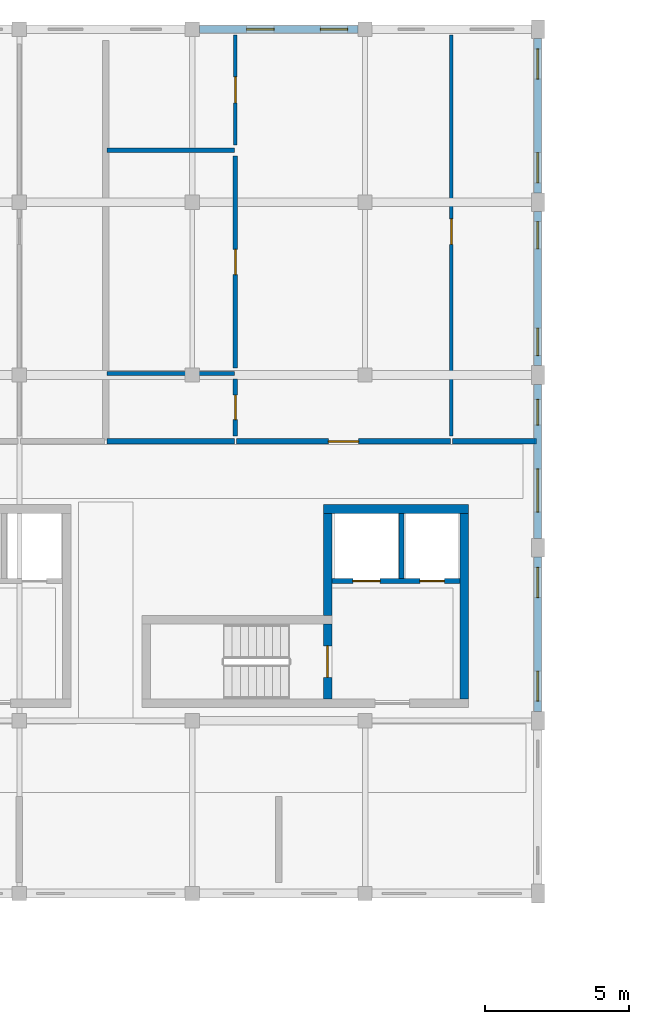
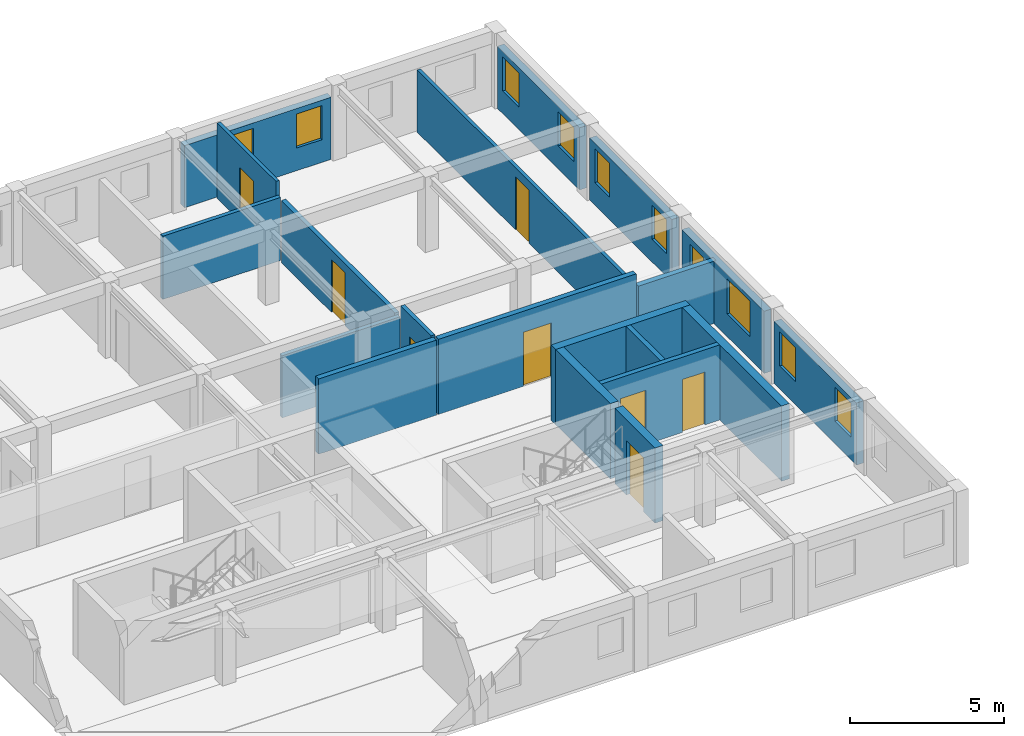
# One storey, part 11 of 17: 20 walls, 10 windows, 8 doors, 18 openings.
"""IFC4 building model written with IfcOpenShell, lengths in metres."""

from ifc_helpers import new_model, si_unit, direction, frame, frame_2d, origin, place, context, subcontext, project, spatial, rectangle, extrude, material, layer, layer_set, type_object, element, fill, save


model = new_model("IFC4")

# Units and contexts
model_context = context("Model", 3, precision=1e-05, world=origin(), true_north=direction((0.0, 1.0)))
body_context = subcontext(model_context, "Body", "Model", "MODEL_VIEW")
ifc_project = project(units=[si_unit("LENGTHUNIT", "METRE"), si_unit("AREAUNIT", "SQUARE_METRE"), si_unit("VOLUMEUNIT", "CUBIC_METRE"), si_unit("PLANEANGLEUNIT", "RADIAN"), si_unit("MASSUNIT", "GRAM", prefix="KILO"), si_unit("POWERUNIT", "WATT"), si_unit("THERMODYNAMICTEMPERATUREUNIT", "KELVIN")], contexts=[model_context])

# Site, building, storey
site_placement = place(None, origin())
site = spatial("IfcSite", under=ifc_project, at=site_placement, CompositionType="ELEMENT")
building_placement = place(site_placement, origin())
building = spatial("IfcBuilding", under=site, at=building_placement, Name="Ruvembo Vaulted Housing Court", CompositionType="ELEMENT")
storey_placement = place(building_placement, frame((0.0, 0.0, 30.10009765625)))
storey = spatial("IfcBuildingStorey", under=building, at=storey_placement, Name="L09", CompositionType="ELEMENT", Elevation=30.10009765625)

# Wall, opening, door
ifc_material_1 = material(Name="Concrete C35/45", Category="concrete")
ifc_layer_1 = layer(ifc_material_1, 0.300048828125, Name="Concrete C35/45")
ifc_layer_set_1 = layer_set([ifc_layer_1], Name="Concrete C35/45")
wall_type_1 = type_object("IfcWallType", Name="WL-CORE-300", PredefinedType="SHEAR", material=ifc_layer_set_1)
wall_1_placement = place(storey_placement, frame((70.699951171875, 90.75, 0.0), z_axis=(0.0, 0.0, 1.0), x_axis=(0.0, 1.0, 0.0)))
wall_1 = element("IfcWall", 1, at=wall_1_placement, inside=storey, type_object=wall_type_1, Name="Core B2 L09 Stair-Lobby Shear Wall", PredefinedType="SHEAR", context=body_context, shape_type="SweptSolid", body=[
    extrude(rectangle(XDim=2.60009765625, YDim=0.300048828125, at=frame_2d((1.300048828125, 0.0))), origin(), (0.0, 0.0, 1.0), 2.98486328125),
])
opening_1_placement = place(wall_1_placement, frame((0.75, 0.0, 0.0)))
opening_1 = element("IfcOpeningElement", 2, at=opening_1_placement, cuts=wall_1, Name="Opening SD2", PredefinedType="OPENING", context=body_context, shape_type="SweptSolid", body=[
    extrude(rectangle(XDim=1.10009765625, YDim=2.14990234375, at=frame_2d((0.550048828125, 1.074951171875))), frame((0.0, 0.159912109375, 0.0), z_axis=(0.0, -1.0, 0.0), x_axis=(1.0, 0.0, 0.0)), (0.0, 0.0, 1.0), 0.320068359375),
])
ifc_material_2 = material(Name="Galvanised Painted Steel", Category="steel")
door_type_1 = type_object("IfcDoorType", Name="DR-STAIR-1100x2150", OperationType="NOTDEFINED", PredefinedType="DOOR", material=ifc_material_2)
door_1_placement = place(opening_1_placement, origin())
door_1 = element("IfcDoor", 3, at=door_1_placement, inside=storey, type_object=door_type_1, Name="Stair ST-B2 L09 Fire Door", OperationType="SINGLE_SWING_LEFT", OverallHeight=2.14990234375, OverallWidth=1.10009765625, PredefinedType="DOOR", context=body_context, shape_type="SweptSolid", body=[
    extrude(rectangle(XDim=1.10009765625, YDim=2.14990234375, at=frame_2d((0.550048828125, 1.074951171875))), frame((0.0, 0.02490234375, 0.0), z_axis=(0.0, -1.0, 0.0), x_axis=(1.0, 0.0, 0.0)), (0.0, 0.0, 1.0), 0.050048828125),
])
fill(opening_1, door_1)

# Walls
wall_2_placement = place(storey_placement, frame((75.60009765625, 97.35009765625, 0.0), z_axis=(0.0, 0.0, 1.0), x_axis=(-1.0, 0.0, 0.0)))
element("IfcWall", 4, at=wall_2_placement, inside=storey, type_object=wall_type_1, Name="Core B2 L09 North Shear Wall", PredefinedType="SHEAR", context=body_context, shape_type="SweptSolid", body=[
    extrude(rectangle(XDim=5.050048828125, YDim=0.300048828125, at=frame_2d((2.52490234375, 0.0))), origin(), (0.0, 0.0, 1.0), 2.98486328125),
])
wall_3_placement = place(storey_placement, frame((75.449951171875, 90.75, 0.0), z_axis=(0.0, 0.0, 1.0), x_axis=(0.0, 1.0, 0.0)))
element("IfcWall", 5, at=wall_3_placement, inside=storey, type_object=wall_type_1, Name="Core B2 L09 East Shear Wall", PredefinedType="SHEAR", context=body_context, shape_type="SweptSolid", body=[
    extrude(rectangle(XDim=6.449951171875, YDim=0.300048828125, at=frame_2d((3.22509765625, 0.0))), origin(), (0.0, 0.0, 1.0), 2.98486328125),
])
wall_4_placement = place(storey_placement, frame((70.699951171875, 93.64990234375, 0.0), z_axis=(0.0, 0.0, 1.0), x_axis=(0.0, 1.0, 0.0)))
element("IfcWall", 6, at=wall_4_placement, inside=storey, type_object=wall_type_1, Name="Core B2 L09 Upper West Shear Wall", PredefinedType="SHEAR", context=body_context, shape_type="SweptSolid", body=[
    extrude(rectangle(XDim=3.550048828125, YDim=0.300048828125, at=frame_2d((1.77490234375, 0.0))), origin(), (0.0, 0.0, 1.0), 2.98486328125),
])
ifc_material_3 = material(Name="Concrete Blockwork 200", Category="masonry")
ifc_layer_2 = layer(ifc_material_3, 0.199951171875, Name="Concrete Blockwork 200")
ifc_layer_set_2 = layer_set([ifc_layer_2], Name="Concrete Blockwork 200")
wall_type_2 = type_object("IfcWallType", Name="WL-CORR-200", PredefinedType="SOLIDWALL", material=ifc_layer_set_2)
wall_5_placement = place(storey_placement, frame((63.0400390625, 99.699951171875, 0.0), z_axis=(0.0, 0.0, 1.0), x_axis=(1.0, 0.0, 0.0)))
element("IfcWall", 7, at=wall_5_placement, inside=storey, type_object=wall_type_2, Name="L09 Flat B-L09-N2 Corridor Wall WL-INT-L09-02190", PredefinedType="SOLIDWALL", context=body_context, shape_type="SweptSolid", body=[
    extrude(rectangle(XDim=4.419921875, YDim=0.199951171875, at=frame_2d((2.2099609375, 0.0))), origin(), (0.0, 0.0, 1.0), 2.98486328125),
])

# Wall, opening, door
wall_6_placement = place(storey_placement, frame((67.5400390625, 99.699951171875, 0.0), z_axis=(0.0, 0.0, 1.0), x_axis=(1.0, 0.0, 0.0)))
wall_6 = element("IfcWall", 8, at=wall_6_placement, inside=storey, type_object=wall_type_2, Name="L09 Flat B-L09-N2 Entrance WL-INT-L09-02191", PredefinedType="SOLIDWALL", context=body_context, shape_type="SweptSolid", body=[
    extrude(rectangle(XDim=7.419921875, YDim=0.199951171875, at=frame_2d((3.7099609375, 0.0))), origin(), (0.0, 0.0, 1.0), 2.98486328125),
])
opening_2_placement = place(wall_6_placement, frame((3.18505859375, 0.0, 0.0)))
opening_2 = element("IfcOpeningElement", 9, at=opening_2_placement, cuts=wall_6, Name="Opening FD3", PredefinedType="OPENING", context=body_context, shape_type="SweptSolid", body=[
    extrude(rectangle(XDim=1.050048828125, YDim=2.14990234375, at=frame_2d((0.52490234375, 1.074951171875))), frame((0.0, 0.10986328125, 0.0), z_axis=(0.0, -1.0, 0.0), x_axis=(1.0, 0.0, 0.0)), (0.0, 0.0, 1.0), 0.219970703125),
])
ifc_material_4 = material(Name="FSC Hardwood and Engineered Timber", Category="wood")
door_type_2 = type_object("IfcDoorType", Name="DR-FLAT-1050x2150", OperationType="NOTDEFINED", PredefinedType="DOOR", material=ifc_material_4)
door_2_placement = place(opening_2_placement, origin())
door_2 = element("IfcDoor", 10, at=door_2_placement, inside=storey, type_object=door_type_2, Name="L09 Flat B-L09-N2 Entrance Door DR-INT-L09-01217", OperationType="SINGLE_SWING_LEFT", OverallHeight=2.14990234375, OverallWidth=1.050048828125, PredefinedType="DOOR", context=body_context, shape_type="SweptSolid", body=[
    extrude(rectangle(XDim=1.050048828125, YDim=2.14990234375, at=frame_2d((0.52490234375, 1.074951171875))), frame((0.0, 0.02490234375, 0.0), z_axis=(0.0, -1.0, 0.0), x_axis=(1.0, 0.0, 0.0)), (0.0, 0.0, 1.0), 0.050048828125),
])
fill(opening_2, door_2)

# Wall
wall_7_placement = place(storey_placement, frame((75.0400390625, 99.699951171875, 0.0), z_axis=(0.0, 0.0, 1.0), x_axis=(1.0, 0.0, 0.0)))
element("IfcWall", 11, at=wall_7_placement, inside=storey, type_object=wall_type_2, Name="L09 Flat B-L09-N2 Corridor Wall 2 WL-INT-L09-02197", PredefinedType="SOLIDWALL", context=body_context, shape_type="SweptSolid", body=[
    extrude(rectangle(XDim=2.919921875, YDim=0.199951171875, at=frame_2d((1.4599609375, 0.0))), origin(), (0.0, 0.0, 1.0), 2.466796875),
])

# Wall, openings, windows
ifc_material_5 = material(Name="Rendered Masonry 260", Category="masonry")
ifc_layer_3 = layer(ifc_material_5, 0.260009765625, Name="Rendered Masonry 260")
ifc_layer_set_3 = layer_set([ifc_layer_3], Name="Rendered Masonry 260")
wall_type_3 = type_object("IfcWallType", Name="WL-EXT-260", PredefinedType="STANDARD", material=ifc_layer_set_3)
wall_8_placement = place(storey_placement, frame((78.0, 90.324951171875, 0.0), z_axis=(0.0, 0.0, 1.0), x_axis=(0.0, 1.0, 0.0)))
wall_8 = element("IfcWall", 12, at=wall_8_placement, inside=storey, type_object=wall_type_3, Name="Block B L09 Exterior Wall EAST #2", PredefinedType="STANDARD", context=body_context, shape_type="SweptSolid", body=[
    extrude(rectangle(XDim=5.35009765625, YDim=0.260009765625, at=frame_2d((2.675048828125, 0.0))), origin(), (0.0, 0.0, 1.0), 2.466796875),
])
opening_3_placement = place(wall_8_placement, frame((0.35009765625, 0.0, 0.89990234375)))
opening_3 = element("IfcOpeningElement", 13, at=opening_3_placement, cuts=wall_8, Name="Opening W09", PredefinedType="OPENING", context=body_context, shape_type="SweptSolid", body=[
    extrude(rectangle(XDim=1.050048828125, YDim=1.35009765625, at=frame_2d((0.52490234375, 0.675048828125))), frame((0.0, 0.139892578125, 0.0), z_axis=(0.0, -1.0, 0.0), x_axis=(1.0, 0.0, 0.0)), (0.0, 0.0, 1.0), 0.280029296875),
])
opening_4_placement = place(wall_8_placement, frame((3.949951171875, 0.0, 0.89990234375)))
opening_4 = element("IfcOpeningElement", 14, at=opening_4_placement, cuts=wall_8, Name="Opening W09", PredefinedType="OPENING", context=body_context, shape_type="SweptSolid", body=[
    extrude(rectangle(XDim=1.050048828125, YDim=1.35009765625, at=frame_2d((0.52490234375, 0.675048828125))), frame((0.0, 0.139892578125, 0.0), z_axis=(0.0, -1.0, 0.0), x_axis=(1.0, 0.0, 0.0)), (0.0, 0.0, 1.0), 0.280029296875),
])
ifc_material_6 = material(Name="Double Solar-Control Glazing in Aluminium Frame", Category="aluminium")
window_type_1 = type_object("IfcWindowType", Name="WIN-1050x1350", PartitioningType="SINGLE_PANEL", PredefinedType="WINDOW", material=ifc_material_6)
window_1_placement = place(opening_3_placement, origin())
window_1 = element("IfcWindow", 15, at=window_1_placement, inside=storey, type_object=window_type_1, Name="Block B L09 Window #999", OverallHeight=1.35009765625, OverallWidth=1.050048828125, PartitioningType="SINGLE_PANEL", PredefinedType="WINDOW", context=body_context, shape_type="SweptSolid", body=[
    extrude(rectangle(XDim=1.050048828125, YDim=1.35009765625, at=frame_2d((0.52490234375, 0.675048828125))), frame((0.0, 0.030029296875, 0.0), z_axis=(0.0, -1.0, 0.0), x_axis=(1.0, 0.0, 0.0)), (0.0, 0.0, 1.0), 0.06005859375),
])
fill(opening_3, window_1)
window_2_placement = place(opening_4_placement, origin())
window_2 = element("IfcWindow", 16, at=window_2_placement, inside=storey, type_object=window_type_1, Name="Block B L09 Window #1000", OverallHeight=1.35009765625, OverallWidth=1.050048828125, PartitioningType="SINGLE_PANEL", PredefinedType="WINDOW", context=body_context, shape_type="SweptSolid", body=[
    extrude(rectangle(XDim=1.050048828125, YDim=1.35009765625, at=frame_2d((0.52490234375, 0.675048828125))), frame((0.0, 0.030029296875, 0.0), z_axis=(0.0, -1.0, 0.0), x_axis=(1.0, 0.0, 0.0)), (0.0, 0.0, 1.0), 0.06005859375),
])
fill(opening_4, window_2)

wall_9_placement = place(storey_placement, frame((78.0, 96.324951171875, 0.0), z_axis=(0.0, 0.0, 1.0), x_axis=(0.0, 1.0, 0.0)))
wall_9 = element("IfcWall", 17, at=wall_9_placement, inside=storey, type_object=wall_type_3, Name="Block B L09 Exterior Wall EAST #3", PredefinedType="STANDARD", context=body_context, shape_type="SweptSolid", body=[
    extrude(rectangle(XDim=5.35009765625, YDim=0.260009765625, at=frame_2d((2.675048828125, 0.0))), origin(), (0.0, 0.0, 1.0), 2.466796875),
])
opening_5_placement = place(wall_9_placement, frame((0.91748046875, 0.0, 0.89990234375)))
opening_5 = element("IfcOpeningElement", 18, at=opening_5_placement, cuts=wall_9, Name="Opening W18", PredefinedType="OPENING", context=body_context, shape_type="SweptSolid", body=[
    extrude(rectangle(XDim=1.5, YDim=1.39990234375, at=frame_2d((0.75, 0.699951171875))), frame((0.0, 0.139892578125, 0.0), z_axis=(0.0, -1.0, 0.0), x_axis=(1.0, 0.0, 0.0)), (0.0, 0.0, 1.0), 0.280029296875),
])
opening_6_placement = place(wall_9_placement, frame((3.9326171875, 0.0, 0.89990234375)))
opening_6 = element("IfcOpeningElement", 19, at=opening_6_placement, cuts=wall_9, Name="Opening W04", PredefinedType="OPENING", context=body_context, shape_type="SweptSolid", body=[
    extrude(rectangle(XDim=0.89990234375, YDim=1.300048828125, at=frame_2d((0.449951171875, 0.64990234375))), frame((0.0, 0.139892578125, 0.0), z_axis=(0.0, -1.0, 0.0), x_axis=(1.0, 0.0, 0.0)), (0.0, 0.0, 1.0), 0.280029296875),
])
window_type_2 = type_object("IfcWindowType", Name="WIN-0900x1300", PartitioningType="SINGLE_PANEL", PredefinedType="WINDOW", material=ifc_material_6)
window_3_placement = place(opening_6_placement, origin())
window_3 = element("IfcWindow", 20, at=window_3_placement, inside=storey, type_object=window_type_2, Name="Block B L09 Window #1002", OverallHeight=1.300048828125, OverallWidth=0.89990234375, PartitioningType="SINGLE_PANEL", PredefinedType="WINDOW", context=body_context, shape_type="SweptSolid", body=[
    extrude(rectangle(XDim=0.89990234375, YDim=1.300048828125, at=frame_2d((0.449951171875, 0.64990234375))), frame((0.0, 0.030029296875, 0.0), z_axis=(0.0, -1.0, 0.0), x_axis=(1.0, 0.0, 0.0)), (0.0, 0.0, 1.0), 0.06005859375),
])
fill(opening_6, window_3)
window_type_3 = type_object("IfcWindowType", Name="WIN-1500x1400", PartitioningType="SINGLE_PANEL", PredefinedType="WINDOW", material=ifc_material_6)
window_4_placement = place(opening_5_placement, origin())
window_4 = element("IfcWindow", 21, at=window_4_placement, inside=storey, type_object=window_type_3, Name="Block B L09 Window #1001", OverallHeight=1.39990234375, OverallWidth=1.5, PartitioningType="SINGLE_PANEL", PredefinedType="WINDOW", context=body_context, shape_type="SweptSolid", body=[
    extrude(rectangle(XDim=1.5, YDim=1.39990234375, at=frame_2d((0.75, 0.699951171875))), frame((0.0, 0.030029296875, 0.0), z_axis=(0.0, -1.0, 0.0), x_axis=(1.0, 0.0, 0.0)), (0.0, 0.0, 1.0), 0.06005859375),
])
fill(opening_5, window_4)

wall_10_placement = place(storey_placement, frame((78.0, 102.324951171875, 0.0), z_axis=(0.0, 0.0, 1.0), x_axis=(0.0, 1.0, 0.0)))
wall_10 = element("IfcWall", 22, at=wall_10_placement, inside=storey, type_object=wall_type_3, Name="Block B L09 Exterior Wall EAST #4", PredefinedType="STANDARD", context=body_context, shape_type="SweptSolid", body=[
    extrude(rectangle(XDim=5.35009765625, YDim=0.260009765625, at=frame_2d((2.675048828125, 0.0))), origin(), (0.0, 0.0, 1.0), 2.466796875),
])
opening_7_placement = place(wall_10_placement, frame((0.35009765625, 0.0, 0.89990234375)))
opening_7 = element("IfcOpeningElement", 23, at=opening_7_placement, cuts=wall_10, Name="Opening W07", PredefinedType="OPENING", context=body_context, shape_type="SweptSolid", body=[
    extrude(rectangle(XDim=0.949951171875, YDim=1.35009765625, at=frame_2d((0.47509765625, 0.675048828125))), frame((0.0, 0.139892578125, 0.0), z_axis=(0.0, -1.0, 0.0), x_axis=(1.0, 0.0, 0.0)), (0.0, 0.0, 1.0), 0.280029296875),
])
opening_8_placement = place(wall_10_placement, frame((4.050048828125, 0.0, 0.89990234375)))
opening_8 = element("IfcOpeningElement", 24, at=opening_8_placement, cuts=wall_10, Name="Opening W07", PredefinedType="OPENING", context=body_context, shape_type="SweptSolid", body=[
    extrude(rectangle(XDim=0.949951171875, YDim=1.35009765625, at=frame_2d((0.47509765625, 0.675048828125))), frame((0.0, 0.139892578125, 0.0), z_axis=(0.0, -1.0, 0.0), x_axis=(1.0, 0.0, 0.0)), (0.0, 0.0, 1.0), 0.280029296875),
])
window_type_4 = type_object("IfcWindowType", Name="WIN-0950x1350", PartitioningType="SINGLE_PANEL", PredefinedType="WINDOW", material=ifc_material_6)
window_5_placement = place(opening_7_placement, origin())
window_5 = element("IfcWindow", 25, at=window_5_placement, inside=storey, type_object=window_type_4, Name="Block B L09 Window #1003", OverallHeight=1.35009765625, OverallWidth=0.949951171875, PartitioningType="SINGLE_PANEL", PredefinedType="WINDOW", context=body_context, shape_type="SweptSolid", body=[
    extrude(rectangle(XDim=0.949951171875, YDim=1.35009765625, at=frame_2d((0.47509765625, 0.675048828125))), frame((0.0, 0.030029296875, 0.0), z_axis=(0.0, -1.0, 0.0), x_axis=(1.0, 0.0, 0.0)), (0.0, 0.0, 1.0), 0.06005859375),
])
fill(opening_7, window_5)
window_6_placement = place(opening_8_placement, origin())
window_6 = element("IfcWindow", 26, at=window_6_placement, inside=storey, type_object=window_type_4, Name="Block B L09 Window #1004", OverallHeight=1.35009765625, OverallWidth=0.949951171875, PartitioningType="SINGLE_PANEL", PredefinedType="WINDOW", context=body_context, shape_type="SweptSolid", body=[
    extrude(rectangle(XDim=0.949951171875, YDim=1.35009765625, at=frame_2d((0.47509765625, 0.675048828125))), frame((0.0, 0.030029296875, 0.0), z_axis=(0.0, -1.0, 0.0), x_axis=(1.0, 0.0, 0.0)), (0.0, 0.0, 1.0), 0.06005859375),
])
fill(opening_8, window_6)

wall_11_placement = place(storey_placement, frame((78.0, 108.324951171875, 0.0), z_axis=(0.0, 0.0, 1.0), x_axis=(0.0, 1.0, 0.0)))
wall_11 = element("IfcWall", 27, at=wall_11_placement, inside=storey, type_object=wall_type_3, Name="Block B L09 Exterior Wall EAST #5", PredefinedType="STANDARD", context=body_context, shape_type="SweptSolid", body=[
    extrude(rectangle(XDim=5.35009765625, YDim=0.260009765625, at=frame_2d((2.675048828125, 0.0))), origin(), (0.0, 0.0, 1.0), 2.466796875),
])
opening_9_placement = place(wall_11_placement, frame((0.35009765625, 0.0, 0.89990234375)))
opening_9 = element("IfcOpeningElement", 28, at=opening_9_placement, cuts=wall_11, Name="Opening W09", PredefinedType="OPENING", context=body_context, shape_type="SweptSolid", body=[
    extrude(rectangle(XDim=1.050048828125, YDim=1.35009765625, at=frame_2d((0.52490234375, 0.675048828125))), frame((0.0, 0.139892578125, 0.0), z_axis=(0.0, -1.0, 0.0), x_axis=(1.0, 0.0, 0.0)), (0.0, 0.0, 1.0), 0.280029296875),
])
opening_10_placement = place(wall_11_placement, frame((3.949951171875, 0.0, 0.89990234375)))
opening_10 = element("IfcOpeningElement", 29, at=opening_10_placement, cuts=wall_11, Name="Opening W09", PredefinedType="OPENING", context=body_context, shape_type="SweptSolid", body=[
    extrude(rectangle(XDim=1.050048828125, YDim=1.35009765625, at=frame_2d((0.52490234375, 0.675048828125))), frame((0.0, 0.139892578125, 0.0), z_axis=(0.0, -1.0, 0.0), x_axis=(1.0, 0.0, 0.0)), (0.0, 0.0, 1.0), 0.280029296875),
])
window_7_placement = place(opening_9_placement, origin())
window_7 = element("IfcWindow", 30, at=window_7_placement, inside=storey, type_object=window_type_1, Name="Block B L09 Window #1005", OverallHeight=1.35009765625, OverallWidth=1.050048828125, PartitioningType="SINGLE_PANEL", PredefinedType="WINDOW", context=body_context, shape_type="SweptSolid", body=[
    extrude(rectangle(XDim=1.050048828125, YDim=1.35009765625, at=frame_2d((0.52490234375, 0.675048828125))), frame((0.0, 0.030029296875, 0.0), z_axis=(0.0, -1.0, 0.0), x_axis=(1.0, 0.0, 0.0)), (0.0, 0.0, 1.0), 0.06005859375),
])
fill(opening_9, window_7)
window_8_placement = place(opening_10_placement, origin())
window_8 = element("IfcWindow", 31, at=window_8_placement, inside=storey, type_object=window_type_1, Name="Block B L09 Window #1006", OverallHeight=1.35009765625, OverallWidth=1.050048828125, PartitioningType="SINGLE_PANEL", PredefinedType="WINDOW", context=body_context, shape_type="SweptSolid", body=[
    extrude(rectangle(XDim=1.050048828125, YDim=1.35009765625, at=frame_2d((0.52490234375, 0.675048828125))), frame((0.0, 0.030029296875, 0.0), z_axis=(0.0, -1.0, 0.0), x_axis=(1.0, 0.0, 0.0)), (0.0, 0.0, 1.0), 0.06005859375),
])
fill(opening_10, window_8)

wall_12_placement = place(storey_placement, frame((71.75, 114.0, 0.0), z_axis=(0.0, 0.0, 1.0), x_axis=(-1.0, 0.0, 0.0)))
wall_12 = element("IfcWall", 32, at=wall_12_placement, inside=storey, type_object=wall_type_3, Name="Block B L09 Exterior Wall STREET #2", PredefinedType="STANDARD", context=body_context, shape_type="SweptSolid", body=[
    extrude(rectangle(XDim=5.5, YDim=0.260009765625, at=frame_2d((2.75, 0.0))), origin(), (0.0, 0.0, 1.0), 2.466796875),
])
opening_11_placement = place(wall_12_placement, frame((0.35009765625, 0.0, 0.89990234375)))
opening_11 = element("IfcOpeningElement", 33, at=opening_11_placement, cuts=wall_12, Name="Opening W07", PredefinedType="OPENING", context=body_context, shape_type="SweptSolid", body=[
    extrude(rectangle(XDim=0.949951171875, YDim=1.35009765625, at=frame_2d((0.47509765625, 0.675048828125))), frame((0.0, 0.139892578125, 0.0), z_axis=(0.0, -1.0, 0.0), x_axis=(1.0, 0.0, 0.0)), (0.0, 0.0, 1.0), 0.280029296875),
])
opening_12_placement = place(wall_12_placement, frame((2.909912109375, 0.0, 0.89990234375)))
opening_12 = element("IfcOpeningElement", 34, at=opening_12_placement, cuts=wall_12, Name="Opening W07", PredefinedType="OPENING", context=body_context, shape_type="SweptSolid", body=[
    extrude(rectangle(XDim=0.949951171875, YDim=1.35009765625, at=frame_2d((0.47509765625, 0.675048828125))), frame((0.0, 0.139892578125, 0.0), z_axis=(0.0, -1.0, 0.0), x_axis=(1.0, 0.0, 0.0)), (0.0, 0.0, 1.0), 0.280029296875),
])
window_9_placement = place(opening_11_placement, origin())
window_9 = element("IfcWindow", 35, at=window_9_placement, inside=storey, type_object=window_type_4, Name="Block B L09 Window #1009", OverallHeight=1.35009765625, OverallWidth=0.949951171875, PartitioningType="SINGLE_PANEL", PredefinedType="WINDOW", context=body_context, shape_type="SweptSolid", body=[
    extrude(rectangle(XDim=0.949951171875, YDim=1.35009765625, at=frame_2d((0.47509765625, 0.675048828125))), frame((0.0, 0.030029296875, 0.0), z_axis=(0.0, -1.0, 0.0), x_axis=(1.0, 0.0, 0.0)), (0.0, 0.0, 1.0), 0.06005859375),
])
fill(opening_11, window_9)
window_10_placement = place(opening_12_placement, origin())
window_10 = element("IfcWindow", 36, at=window_10_placement, inside=storey, type_object=window_type_4, Name="Block B L09 Window #1010", OverallHeight=1.35009765625, OverallWidth=0.949951171875, PartitioningType="SINGLE_PANEL", PredefinedType="WINDOW", context=body_context, shape_type="SweptSolid", body=[
    extrude(rectangle(XDim=0.949951171875, YDim=1.35009765625, at=frame_2d((0.47509765625, 0.675048828125))), frame((0.0, 0.030029296875, 0.0), z_axis=(0.0, -1.0, 0.0), x_axis=(1.0, 0.0, 0.0)), (0.0, 0.0, 1.0), 0.06005859375),
])
fill(opening_12, window_10)

# Wall, opening, door
ifc_material_7 = material(Name="Plasterboard Stud Partition 125", Category="gypsum")
ifc_layer_4 = layer(ifc_material_7, 0.125, Name="Plasterboard Stud Partition 125")
ifc_layer_set_4 = layer_set([ifc_layer_4], Name="Plasterboard Stud Partition 125")
wall_type_4 = type_object("IfcWallType", Name="WL-PART-125", PredefinedType="PARTITIONING", material=ifc_layer_set_4)
wall_13_placement = place(storey_placement, frame((67.5, 109.989990234375, 0.0), z_axis=(0.0, 0.0, 1.0), x_axis=(0.0, 1.0, 0.0)))
wall_13 = element("IfcWall", 37, at=wall_13_placement, inside=storey, type_object=wall_type_4, Name="L09 Flat B-L09-N2 Bedroom 1 WL-INT-L09-02192", PredefinedType="PARTITIONING", context=body_context, shape_type="SweptSolid", body=[
    extrude(rectangle(XDim=3.820068359375, YDim=0.125, at=frame_2d((1.91015625, 0.0))), origin(), (0.0, 0.0, 1.0), 2.98486328125),
])
opening_13_placement = place(wall_13_placement, frame((1.4599609375, 0.0, 0.0)))
opening_13 = element("IfcOpeningElement", 38, at=opening_13_placement, cuts=wall_13, Name="Opening ID1", PredefinedType="OPENING", context=body_context, shape_type="SweptSolid", body=[
    extrude(rectangle(XDim=0.89990234375, YDim=2.10009765625, at=frame_2d((0.449951171875, 1.050048828125))), frame((0.0, 0.072509765625, 0.0), z_axis=(0.0, -1.0, 0.0), x_axis=(1.0, 0.0, 0.0)), (0.0, 0.0, 1.0), 0.14501953125),
])
door_type_3 = type_object("IfcDoorType", Name="DR-ROOM-0900x2100", OperationType="NOTDEFINED", PredefinedType="DOOR", material=ifc_material_4)
door_3_placement = place(opening_13_placement, origin())
door_3 = element("IfcDoor", 39, at=door_3_placement, inside=storey, type_object=door_type_3, Name="L09 Flat B-L09-N2 Bedroom 1 Door DR-INT-L09-01218", OperationType="SINGLE_SWING_RIGHT", OverallHeight=2.10009765625, OverallWidth=0.89990234375, PredefinedType="DOOR", context=body_context, shape_type="SweptSolid", body=[
    extrude(rectangle(XDim=0.89990234375, YDim=2.10009765625, at=frame_2d((0.449951171875, 1.050048828125))), frame((0.0, 0.02490234375, 0.0), z_axis=(0.0, -1.0, 0.0), x_axis=(1.0, 0.0, 0.0)), (0.0, 0.0, 1.0), 0.050048828125),
])
fill(opening_13, door_3)

wall_14_placement = place(storey_placement, frame((75.0, 99.889892578125, 0.0), z_axis=(0.0, 0.0, 1.0), x_axis=(0.0, 1.0, 0.0)))
wall_14 = element("IfcWall", 40, at=wall_14_placement, inside=storey, type_object=wall_type_4, Name="L09 Flat B-L09-N2 Bedroom 2 WL-INT-L09-02198", PredefinedType="PARTITIONING", context=body_context, shape_type="SweptSolid", body=[
    extrude(rectangle(XDim=13.920166015625, YDim=0.125, at=frame_2d((6.9599609375, 0.0))), origin(), (0.0, 0.0, 1.0), 2.466796875),
])
opening_14_placement = place(wall_14_placement, frame((6.64990234375, 0.0, 0.0)))
opening_14 = element("IfcOpeningElement", 41, at=opening_14_placement, cuts=wall_14, Name="Opening ID3", PredefinedType="OPENING", context=body_context, shape_type="SweptSolid", body=[
    extrude(rectangle(XDim=0.8798828125, YDim=2.10009765625, at=frame_2d((0.43994140625, 1.050048828125))), frame((0.0, 0.072509765625, 0.0), z_axis=(0.0, -1.0, 0.0), x_axis=(1.0, 0.0, 0.0)), (0.0, 0.0, 1.0), 0.14501953125),
])
door_type_4 = type_object("IfcDoorType", Name="DR-ROOM-0880x2100", OperationType="NOTDEFINED", PredefinedType="DOOR", material=ifc_material_4)
door_4_placement = place(opening_14_placement, origin())
door_4 = element("IfcDoor", 42, at=door_4_placement, inside=storey, type_object=door_type_4, Name="L09 Flat B-L09-N2 Bedroom 2 Door DR-INT-L09-01221", OperationType="SINGLE_SWING_LEFT", OverallHeight=2.10009765625, OverallWidth=0.8798828125, PredefinedType="DOOR", context=body_context, shape_type="SweptSolid", body=[
    extrude(rectangle(XDim=0.8798828125, YDim=2.10009765625, at=frame_2d((0.43994140625, 1.050048828125))), frame((0.0, 0.02490234375, 0.0), z_axis=(0.0, -1.0, 0.0), x_axis=(1.0, 0.0, 0.0)), (0.0, 0.0, 1.0), 0.050048828125),
])
fill(opening_14, door_4)

ifc_material_8 = material(Name="Moisture-Resistant Wet Partition 150", Category="gypsum")
ifc_layer_5 = layer(ifc_material_8, 0.14990234375, Name="Moisture-Resistant Wet Partition 150")
ifc_layer_set_5 = layer_set([ifc_layer_5], Name="Moisture-Resistant Wet Partition 150")
wall_type_5 = type_object("IfcWallType", Name="WL-PART-150", PredefinedType="PARTITIONING", material=ifc_layer_set_5)
wall_15_placement = place(storey_placement, frame((67.5, 99.889892578125, 0.0), z_axis=(0.0, 0.0, 1.0), x_axis=(0.0, 1.0, 0.0)))
wall_15 = element("IfcWall", 43, at=wall_15_placement, inside=storey, type_object=wall_type_5, Name="L09 Flat B-L09-N2 Bathroom WL-INT-L09-02194", PredefinedType="PARTITIONING", context=body_context, shape_type="SweptSolid", body=[
    extrude(rectangle(XDim=1.97021484375, YDim=0.14990234375, at=frame_2d((0.985107421875, 0.0))), origin(), (0.0, 0.0, 1.0), 2.98486328125),
])
opening_15_placement = place(wall_15_placement, frame((0.56005859375, 0.0, 0.0)))
opening_15 = element("IfcOpeningElement", 44, at=opening_15_placement, cuts=wall_15, Name="Opening ID2", PredefinedType="OPENING", context=body_context, shape_type="SweptSolid", body=[
    extrude(rectangle(XDim=0.85009765625, YDim=2.10009765625, at=frame_2d((0.425048828125, 1.050048828125))), frame((0.0, 0.0849609375, 0.0), z_axis=(0.0, -1.0, 0.0), x_axis=(1.0, 0.0, 0.0)), (0.0, 0.0, 1.0), 0.169921875),
])
door_type_5 = type_object("IfcDoorType", Name="DR-WET-0850x2100", OperationType="NOTDEFINED", PredefinedType="DOOR", material=ifc_material_4)
door_5_placement = place(opening_15_placement, origin())
door_5 = element("IfcDoor", 45, at=door_5_placement, inside=storey, type_object=door_type_5, Name="L09 Flat B-L09-N2 Bathroom Door DR-INT-L09-01220", OperationType="SINGLE_SWING_RIGHT", OverallHeight=2.10009765625, OverallWidth=0.85009765625, PredefinedType="DOOR", context=body_context, shape_type="SweptSolid", body=[
    extrude(rectangle(XDim=0.85009765625, YDim=2.10009765625, at=frame_2d((0.425048828125, 1.050048828125))), frame((0.0, 0.02490234375, 0.0), z_axis=(0.0, -1.0, 0.0), x_axis=(1.0, 0.0, 0.0)), (0.0, 0.0, 1.0), 0.050048828125),
])
fill(opening_15, door_5)

# Walls
wall_16_placement = place(storey_placement, frame((63.0400390625, 109.800048828125, 0.0), z_axis=(0.0, 0.0, 1.0), x_axis=(1.0, 0.0, 0.0)))
element("IfcWall", 46, at=wall_16_placement, inside=storey, type_object=wall_type_5, Name="L09 Flat B-L09-N2 Wet Wall 1 WL-INT-L09-02195", PredefinedType="PARTITIONING", context=body_context, shape_type="SweptSolid", body=[
    extrude(rectangle(XDim=4.419921875, YDim=0.14990234375, at=frame_2d((2.2099609375, 0.0))), origin(), (0.0, 0.0, 1.0), 2.5078125),
])
wall_17_placement = place(storey_placement, frame((63.0400390625, 102.050048828125, 0.0), z_axis=(0.0, 0.0, 1.0), x_axis=(1.0, 0.0, 0.0)))
element("IfcWall", 47, at=wall_17_placement, inside=storey, type_object=wall_type_5, Name="L09 Flat B-L09-N2 Wet Wall 2 WL-INT-L09-02196", PredefinedType="PARTITIONING", context=body_context, shape_type="SweptSolid", body=[
    extrude(rectangle(XDim=4.419921875, YDim=0.14990234375, at=frame_2d((2.2099609375, 0.0))), origin(), (0.0, 0.0, 1.0), 2.466796875),
])

# Wall, opening, door
ifc_material_9 = material(Name="Acoustic Service Chase Wall 160", Category="gypsum")
ifc_layer_6 = layer(ifc_material_9, 0.159912109375, Name="Acoustic Service Chase Wall 160")
ifc_layer_set_6 = layer_set([ifc_layer_6], Name="Acoustic Service Chase Wall 160")
wall_type_6 = type_object("IfcWallType", Name="WL-PLUMB-160", PredefinedType="PLUMBINGWALL", material=ifc_layer_set_6)
wall_18_placement = place(storey_placement, frame((67.5, 102.239990234375, 0.0), z_axis=(0.0, 0.0, 1.0), x_axis=(0.0, 1.0, 0.0)))
wall_18 = element("IfcWall", 48, at=wall_18_placement, inside=storey, type_object=wall_type_6, Name="L09 Flat B-L09-N2 Kitchen WL-INT-L09-02193", PredefinedType="PLUMBINGWALL", context=body_context, shape_type="SweptSolid", body=[
    extrude(rectangle(XDim=7.3701171875, YDim=0.159912109375, at=frame_2d((3.68505859375, 0.0))), origin(), (0.0, 0.0, 1.0), 2.466796875),
])
opening_16_placement = place(wall_18_placement, frame((3.2451171875, 0.0, 0.0)))
opening_16 = element("IfcOpeningElement", 49, at=opening_16_placement, cuts=wall_18, Name="Opening ID3", PredefinedType="OPENING", context=body_context, shape_type="SweptSolid", body=[
    extrude(rectangle(XDim=0.8798828125, YDim=2.10009765625, at=frame_2d((0.43994140625, 1.050048828125))), frame((0.0, 0.08984375, 0.0), z_axis=(0.0, -1.0, 0.0), x_axis=(1.0, 0.0, 0.0)), (0.0, 0.0, 1.0), 0.179931640625),
])
door_6_placement = place(opening_16_placement, origin())
door_6 = element("IfcDoor", 50, at=door_6_placement, inside=storey, type_object=door_type_4, Name="L09 Flat B-L09-N2 Kitchen Door DR-INT-L09-01219", OperationType="SINGLE_SWING_LEFT", OverallHeight=2.10009765625, OverallWidth=0.8798828125, PredefinedType="DOOR", context=body_context, shape_type="SweptSolid", body=[
    extrude(rectangle(XDim=0.8798828125, YDim=2.10009765625, at=frame_2d((0.43994140625, 1.050048828125))), frame((0.0, 0.02490234375, 0.0), z_axis=(0.0, -1.0, 0.0), x_axis=(1.0, 0.0, 0.0)), (0.0, 0.0, 1.0), 0.050048828125),
])
fill(opening_16, door_6)

# Wall, openings, doors
ifc_material_10 = material(Name="Fire-Rated Masonry Shaft 180", Category="masonry")
ifc_layer_7 = layer(ifc_material_10, 0.179931640625, Name="Fire-Rated Masonry Shaft 180")
ifc_layer_set_7 = layer_set([ifc_layer_7], Name="Fire-Rated Masonry Shaft 180")
wall_type_7 = type_object("IfcWallType", Name="WL-SHAFT-180", PredefinedType="SOLIDWALL", material=ifc_layer_set_7)
wall_19_placement = place(storey_placement, frame((70.85009765625, 94.85009765625, 0.0), z_axis=(0.0, 0.0, 1.0), x_axis=(1.0, 0.0, 0.0)))
wall_19 = element("IfcWall", 51, at=wall_19_placement, inside=storey, type_object=wall_type_7, Name="Core B2 L09 Lift and Riser Front Wall", PredefinedType="SOLIDWALL", context=body_context, shape_type="SweptSolid", body=[
    extrude(rectangle(XDim=4.449951171875, YDim=0.179931640625, at=frame_2d((2.22509765625, 0.0))), origin(), (0.0, 0.0, 1.0), 2.98486328125),
])
opening_17_placement = place(wall_19_placement, frame((0.72509765625, 0.0, 0.0)))
opening_17 = element("IfcOpeningElement", 52, at=opening_17_placement, cuts=wall_19, Name="Opening LD-LP-B2-L09", PredefinedType="OPENING", context=body_context, shape_type="SweptSolid", body=[
    extrude(rectangle(XDim=0.949951171875, YDim=2.14990234375, at=frame_2d((0.47509765625, 1.074951171875))), frame((0.0, 0.099853515625, 0.0), z_axis=(0.0, -1.0, 0.0), x_axis=(1.0, 0.0, 0.0)), (0.0, 0.0, 1.0), 0.199951171875),
])
opening_18_placement = place(wall_19_placement, frame((3.050048828125, 0.0, 0.0)))
opening_18 = element("IfcOpeningElement", 53, at=opening_18_placement, cuts=wall_19, Name="Opening RD1", PredefinedType="OPENING", context=body_context, shape_type="SweptSolid", body=[
    extrude(rectangle(XDim=0.85009765625, YDim=2.10009765625, at=frame_2d((0.425048828125, 1.050048828125))), frame((0.0, 0.099853515625, 0.0), z_axis=(0.0, -1.0, 0.0), x_axis=(1.0, 0.0, 0.0)), (0.0, 0.0, 1.0), 0.199951171875),
])
ifc_material_11 = material(Name="Brushed Stainless Steel 304", Category="steel")
door_type_6 = type_object("IfcDoorType", Name="DR-LIFT-0950x2150", OperationType="NOTDEFINED", PredefinedType="DOOR", material=ifc_material_11)
door_7_placement = place(opening_17_placement, origin())
door_7 = element("IfcDoor", 54, at=door_7_placement, inside=storey, type_object=door_type_6, Name="Lift LP-B2 L09 Sliding Landing Door", OperationType="SLIDING_TO_LEFT", OverallHeight=2.14990234375, OverallWidth=0.949951171875, PredefinedType="DOOR", context=body_context, shape_type="SweptSolid", body=[
    extrude(rectangle(XDim=0.949951171875, YDim=2.14990234375, at=frame_2d((0.47509765625, 1.074951171875))), frame((0.0, 0.02490234375, 0.0), z_axis=(0.0, -1.0, 0.0), x_axis=(1.0, 0.0, 0.0)), (0.0, 0.0, 1.0), 0.050048828125),
])
fill(opening_17, door_7)
door_type_7 = type_object("IfcDoorType", Name="DR-RISER-0850x2100", OperationType="NOTDEFINED", PredefinedType="DOOR", material=ifc_material_2)
door_8_placement = place(opening_18_placement, frame((0.85009765625, 0.0, 0.0), z_axis=(0.0, 0.0, 1.0), x_axis=(-1.0, 0.0, 0.0)))
door_8 = element("IfcDoor", 55, at=door_8_placement, inside=storey, type_object=door_type_7, Name="Core B2 L09 Service Riser Door", OperationType="SINGLE_SWING_RIGHT", OverallHeight=2.10009765625, OverallWidth=0.85009765625, PredefinedType="DOOR", context=body_context, shape_type="SweptSolid", body=[
    extrude(rectangle(XDim=0.85009765625, YDim=2.10009765625, at=frame_2d((0.425048828125, 1.050048828125))), frame((0.0, 0.02490234375, 0.0), z_axis=(0.0, -1.0, 0.0), x_axis=(1.0, 0.0, 0.0)), (0.0, 0.0, 1.0), 0.050048828125),
])
fill(opening_18, door_8)

# Wall
wall_20_placement = place(storey_placement, frame((73.27001953125, 94.93994140625, 0.0), z_axis=(0.0, 0.0, 1.0), x_axis=(0.0, 1.0, 0.0)))
element("IfcWall", 56, at=wall_20_placement, inside=storey, type_object=wall_type_7, Name="Core B2 L09 Shaft-Riser Divider Wall", PredefinedType="SOLIDWALL", context=body_context, shape_type="SweptSolid", body=[
    extrude(rectangle(XDim=2.260009765625, YDim=0.179931640625, at=frame_2d((1.1298828125, 0.0))), origin(), (0.0, 0.0, 1.0), 2.98486328125),
])

save(model, "model.ifc")
